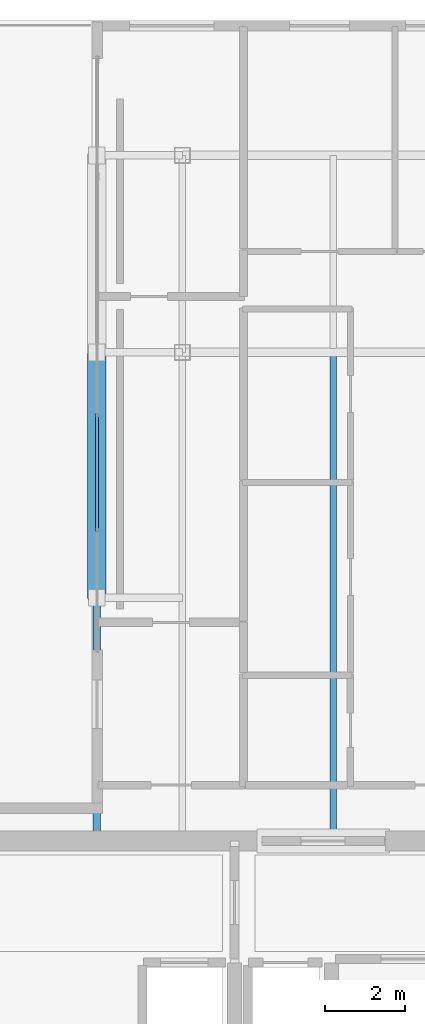
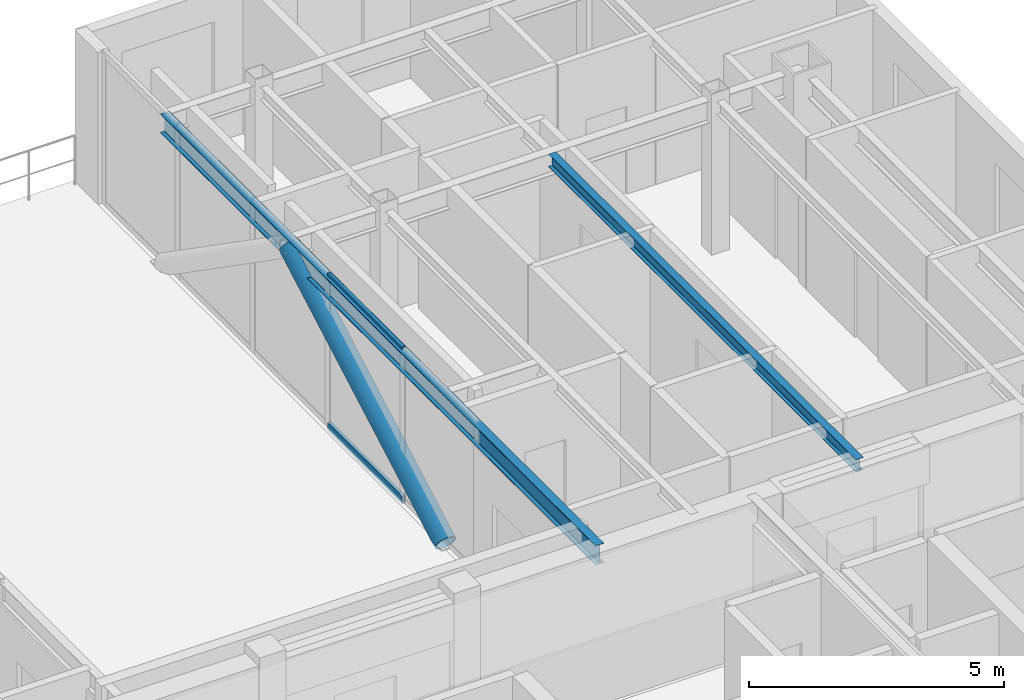
# One storey, part 6 of 14: 3 members, 2 beams, 1 element without a shape of its own.
"""IFC4 building model written with IfcOpenShell, lengths in metres."""

from ifc_helpers import new_model, si_unit, direction, frame, origin, origin_2d, place, context, subcontext, project, spatial, hollow_rectangle, hollow_circle, i_section, extrude, material, material_profile, profile_set, type_object, element, aggregate, save


model = new_model("IFC4")

# Units and contexts
model_context = context("Model", 3, precision=1e-05, world=origin(), true_north=direction((0.0, 1.0)))
body_context = subcontext(model_context, "Body", "Model", "MODEL_VIEW")
ifc_project = project(units=[si_unit("LENGTHUNIT", "METRE"), si_unit("AREAUNIT", "SQUARE_METRE"), si_unit("VOLUMEUNIT", "CUBIC_METRE"), si_unit("PLANEANGLEUNIT", "RADIAN"), si_unit("MASSUNIT", "GRAM", prefix="KILO")], contexts=[model_context])

# Site, building, storey
site_placement = place(None, origin())
site = spatial("IfcSite", under=ifc_project, at=site_placement, CompositionType="ELEMENT")
building_placement = place(site_placement, origin())
building = spatial("IfcBuilding", under=site, at=building_placement, Name="Ventersveld Concourse Tower", CompositionType="ELEMENT")
storey_placement = place(building_placement, frame((0.0, 0.0, 337.5)))
storey = spatial("IfcBuildingStorey", under=building, at=storey_placement, Name="L83", CompositionType="ELEMENT", Elevation=337.5)

# Beam
ifc_material_1 = material(Name="Structural steel S355J2", Category="steel")
ifc_material_profile_1 = material_profile(ifc_material_1, i_section(OverallWidth=0.1650390625, OverallDepth=0.303466796875, WebThickness=0.006103515625, FlangeThickness=0.01025390625, FilletRadius=0.0087890625, at=origin_2d()), Name="UB 305x165x40")
ifc_profile_set_1 = profile_set([ifc_material_profile_1], Name="Structural steel S355J2")
beam_type_1 = type_object("IfcBeamType", Name="BM-UB305", PredefinedType="BEAM", material=ifc_profile_set_1)
beam_1_placement = place(storey_placement, frame((40.0, 11.449951171875, 3.478271484375), z_axis=(0.0, 1.0, 0.0), x_axis=(-1.0, 0.0, 0.0)))
element("IfcBeam", 1, at=beam_1_placement, inside=storey, type_object=beam_type_1, Name="L83 N-S Composite Floor Beam South X=40.00", PredefinedType="BEAM", context=body_context, shape_type="SweptSolid", body=[
    extrude(i_section(OverallWidth=0.1650390625, OverallDepth=0.303466796875, WebThickness=0.006103515625, FlangeThickness=0.01025390625, FilletRadius=0.0087890625, at=origin_2d()), origin(), (0.0, 0.0, 1.0), 12.054931640625),
])

# Curtain wall, members
ifc_material_2 = material(Name="Anodised aluminium EN AW-6063-T6", Category="aluminium")
curtain_wall_type = type_object("IfcCurtainWallType", Name="CW-WP-5", PredefinedType="NOTDEFINED", material=ifc_material_2)
curtain_wall_placement = place(storey_placement, origin())
curtain_wall = element("IfcCurtainWall", 2, at=curtain_wall_placement, inside=storey, type_object=curtain_wall_type, Name="L83 L83 Wind Portal Aerodynamic Cheek Curtain Wall", PredefinedType="NOTDEFINED")
ifc_material_profile_2 = material_profile(ifc_material_2, hollow_rectangle(XDim=0.074951171875, YDim=0.179931640625, WallThickness=0.00390625, at=origin_2d()), Name="ALU 180x75x4")
ifc_profile_set_2 = profile_set([ifc_material_profile_2], Name="Anodised aluminium EN AW-6063-T6")
member_type_1 = type_object("IfcMemberType", Name="CWT-180x75", PredefinedType="USERDEFINED", material=ifc_profile_set_2)
member_1_placement = place(storey_placement, frame((34.1298828125, 19.15283203125, 0.030029296875), z_axis=(0.0, 1.0, 0.0), x_axis=(-1.0, 0.0, 0.0)))
member_1 = element("IfcMember", 3, at=member_1_placement, type_object=member_type_1, Name="CW-L83-WP-E Transom 1-02", ObjectType="TRANSOM", PredefinedType="USERDEFINED", context=body_context, shape_type="SweptSolid", body=[
    extrude(hollow_rectangle(XDim=0.074951171875, YDim=0.179931640625, WallThickness=0.00390625, at=origin_2d()), origin(), (0.0, 0.0, 1.0), 2.922607421875),
])
member_2_placement = place(storey_placement, frame((34.1298828125, 19.15283203125, 3.60009765625), z_axis=(0.0, 1.0, 0.0), x_axis=(-1.0, 0.0, 0.0)))
member_2 = element("IfcMember", 4, at=member_2_placement, type_object=member_type_1, Name="CW-L83-WP-E Transom 2-02", ObjectType="TRANSOM", PredefinedType="USERDEFINED", context=body_context, shape_type="SweptSolid", body=[
    extrude(hollow_rectangle(XDim=0.074951171875, YDim=0.179931640625, WallThickness=0.00390625, at=origin_2d()), origin(), (0.0, 0.0, 1.0), 2.922607421875),
])
aggregate(curtain_wall, [member_1, member_2])

# Beam
ifc_material_profile_3 = material_profile(ifc_material_1, i_section(OverallWidth=0.19140625, OverallDepth=0.4599609375, WebThickness=0.010009765625, FlangeThickness=0.01611328125, FilletRadius=0.01025390625, at=origin_2d()), Name="UB 457x191x82")
ifc_profile_set_3 = profile_set([ifc_material_profile_3], Name="Structural steel S355J2")
beam_type_2 = type_object("IfcBeamType", Name="SPD-UB457", PredefinedType="SPANDREL", material=ifc_profile_set_3)
beam_2_placement = place(storey_placement, frame((34.1201171875, 11.449951171875, 3.39990234375), z_axis=(0.0, 1.0, 0.0), x_axis=(-1.0, 0.0, 0.0)))
element("IfcBeam", 5, at=beam_2_placement, inside=storey, type_object=beam_type_2, Name="L83 Wind Portal East Edge Spandrel", PredefinedType="SPANDREL", context=body_context, shape_type="SweptSolid", body=[
    extrude(i_section(OverallWidth=0.19140625, OverallDepth=0.4599609375, WebThickness=0.010009765625, FlangeThickness=0.01611328125, FilletRadius=0.01025390625, at=origin_2d()), origin(), (0.0, 0.0, 1.0), 17.050048828125),
])

# Member
ifc_material_3 = material(Name="Structural steel S355ML", Category="steel")
ifc_material_profile_4 = material_profile(ifc_material_3, hollow_circle(Radius=0.228515625, WallThickness=0.02001953125, at=origin_2d()), Name="CHS 457x20")
ifc_profile_set_4 = profile_set([ifc_material_profile_4], Name="Structural steel S355ML")
member_type_2 = type_object("IfcMemberType", Name="STR-WP-457", PredefinedType="STRUT", material=ifc_profile_set_4)
member_3_placement = place(storey_placement, frame((34.1201171875, 17.5, 0.0), z_axis=(0.0, 0.872880467892, 0.4879341029), x_axis=(-1.0, 0.0, 0.0)))
element("IfcMember", 6, at=member_3_placement, inside=storey, type_object=member_type_2, Name="L83 Wind Portal Edge Brace Strut E1", PredefinedType="STRUT", context=body_context, shape_type="SweptSolid", body=[
    extrude(hollow_circle(Radius=0.228515625, WallThickness=0.02001953125, at=origin_2d()), origin(), (0.0, 0.0, 1.0), 6.988525390625),
])

save(model, "model.ifc")
